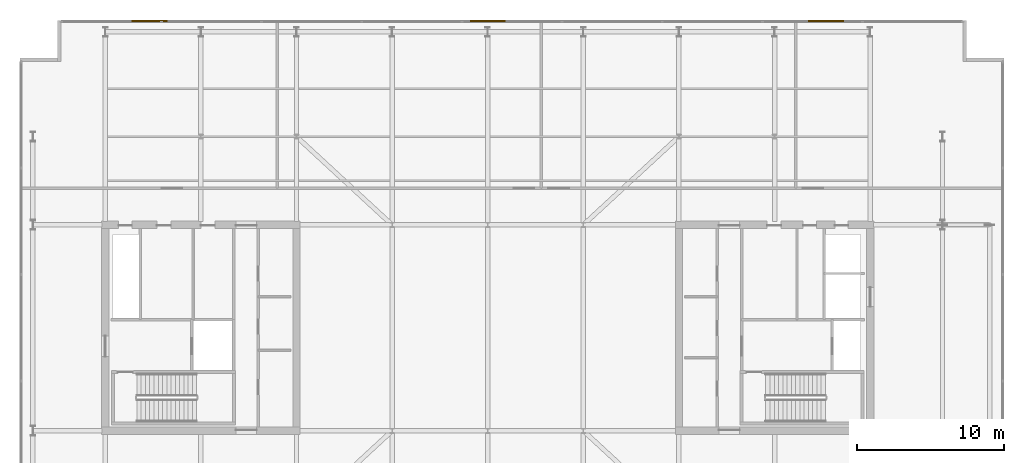
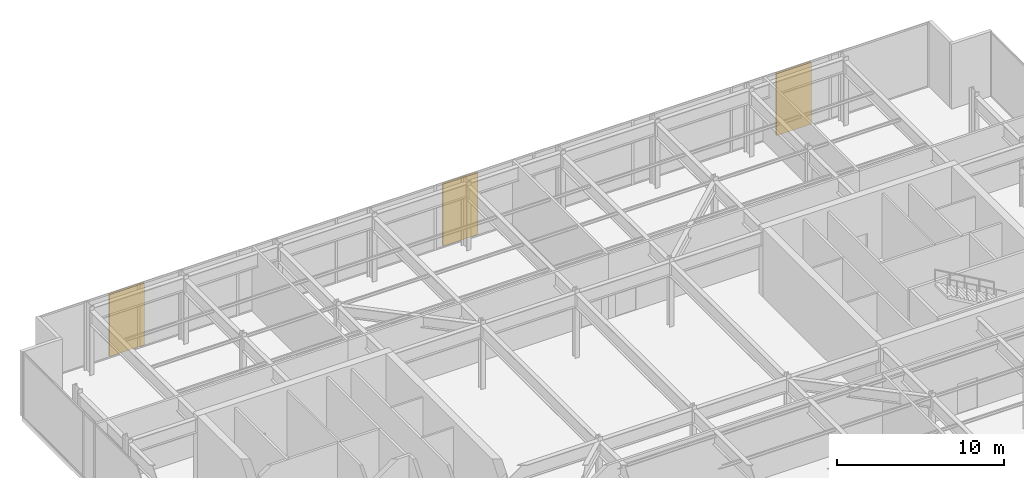
# One storey, part 23 of 23: 3 shading devices.
"""IFC4 building model written with IfcOpenShell, lengths in metres."""

from ifc_helpers import new_model, si_unit, direction, frame, origin, origin_2d, place, context, subcontext, project, spatial, rectangle, extrude, material, layer, layer_set, type_object, element, save


model = new_model("IFC4")

# Units and contexts
model_context = context("Model", 3, precision=1e-05, world=origin(), true_north=direction((0.0, 1.0)))
body_context = subcontext(model_context, "Body", "Model", "MODEL_VIEW")
ifc_project = project(units=[si_unit("LENGTHUNIT", "METRE"), si_unit("AREAUNIT", "SQUARE_METRE"), si_unit("VOLUMEUNIT", "CUBIC_METRE"), si_unit("PLANEANGLEUNIT", "RADIAN"), si_unit("MASSUNIT", "GRAM", prefix="KILO")], contexts=[model_context])

# Site, building, storey
site_placement = place(None, origin())
site = spatial("IfcSite", under=ifc_project, at=site_placement, CompositionType="ELEMENT")
building_placement = place(site_placement, origin())
building = spatial("IfcBuilding", under=site, at=building_placement, Name="Putna Gate Headquarters", CompositionType="ELEMENT")
storey_placement = place(building_placement, frame((0.0, 0.0, 310.39990234375)))
storey = spatial("IfcBuildingStorey", under=building, at=storey_placement, Name="L78", CompositionType="ELEMENT", Elevation=310.39990234375)

# Shading devices
ifc_material = material(Name="Anodised bronze acoustic weather louvre", Category="aluminium")
ifc_layer = layer(ifc_material, 0.1201171875)
ifc_layer_set = layer_set([ifc_layer], Name="Anodised bronze acoustic weather louvre")
shading_device_type = type_object("IfcShadingDeviceType", Name="SHADE-PLANT-LOUVRE", PredefinedType="JALOUSIE", material=ifc_layer_set)
for number, where, z_axis, x_axis, name in (
    (1, (16.0, 46.8701171875, 0.10009765625), (0.0, 0.0, 1.0), (1.0, 0.0, 0.0), "L78 Bronze Acoustic Louvre N1"),
    (2, (39.0, 46.8701171875, 0.10009765625), (0.0, 0.0, 1.0), (1.0, 0.0, 0.0), "L78 Bronze Acoustic Louvre N2"),
    (3, (62.0, 46.8701171875, 0.10009765625), (0.0, 0.0, 1.0), (1.0, 0.0, 0.0), "L78 Bronze Acoustic Louvre N3"),
):
    element("IfcShadingDevice", number, at=place(storey_placement, frame(where, z_axis=z_axis, x_axis=x_axis)), inside=storey, type_object=shading_device_type, Name=name, PredefinedType="JALOUSIE", context=body_context, shape_type="SweptSolid", body=[
        extrude(rectangle(XDim=2.39990234375, YDim=0.1201171875, at=origin_2d()), origin(), (0.0, 0.0, 1.0), 4.52001953125),
    ])

save(model, "model.ifc")
